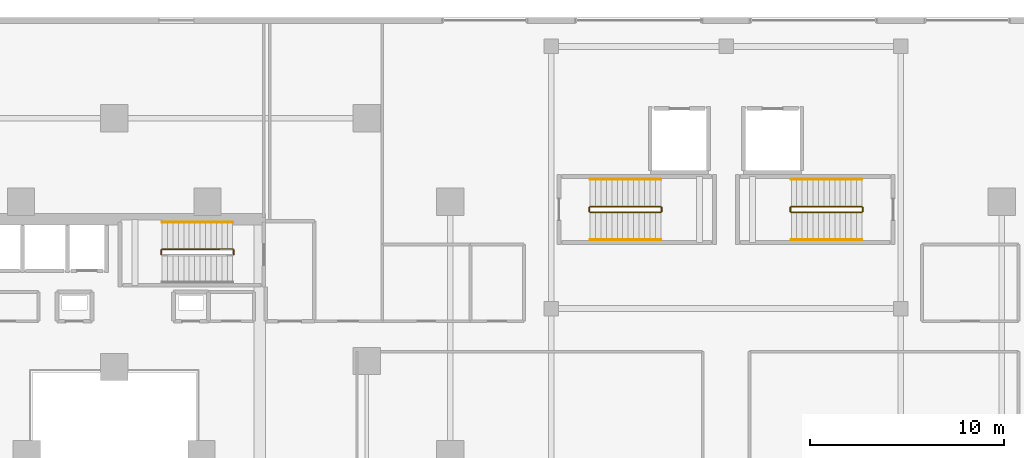
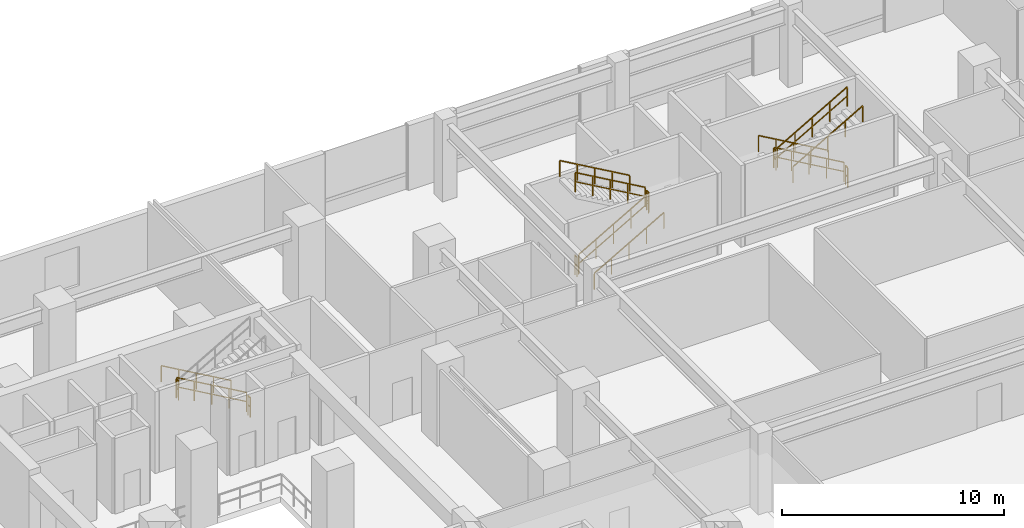
# One storey, part 24 of 25: 16 railings.
"""IFC4 building model written with IfcOpenShell, lengths in metres."""

from ifc_helpers import new_model, si_unit, direction, frame, origin, origin_2d, place, context, subcontext, project, spatial, rectangle, extrude, material, type_object, element, save


model = new_model("IFC4")

# Units and contexts
model_context = context("Model", 3, precision=1e-05, world=origin(), true_north=direction((0.0, 1.0)))
body_context = subcontext(model_context, "Body", "Model", "MODEL_VIEW")
ifc_project = project(units=[si_unit("LENGTHUNIT", "METRE"), si_unit("AREAUNIT", "SQUARE_METRE"), si_unit("VOLUMEUNIT", "CUBIC_METRE"), si_unit("PLANEANGLEUNIT", "RADIAN"), si_unit("MASSUNIT", "GRAM", prefix="KILO")], contexts=[model_context])

# Site, building, storey
site_placement = place(None, origin())
site = spatial("IfcSite", under=ifc_project, at=site_placement, CompositionType="ELEMENT")
building_placement = place(site_placement, origin())
building = spatial("IfcBuilding", under=site, at=building_placement, Name="Thornwick Lancets Civic Towers", CompositionType="ELEMENT")
storey_placement = place(building_placement, frame((0.0, 0.0, 9.60009765625)))
storey = spatial("IfcBuildingStorey", under=building, at=storey_placement, Name="L02", CompositionType="ELEMENT", Elevation=9.60009765625)

# Railings
ifc_material_1 = material(Name="Brushed stainless steel S355", Category="steel")
railing_type_1 = type_object("IfcRailingType", Name="RAIL_HANDRAIL", PredefinedType="HANDRAIL", material=ifc_material_1)
railing_1_placement = place(storey_placement, frame((31.60009765625, 38.949951171875, 0.16064453125)))
element("IfcRailing", 1, at=railing_1_placement, inside=storey, type_object=railing_type_1, Name="L02 ST-A2 stair handrail 1", PredefinedType="HANDRAIL", context=body_context, shape_type="SweptSolid", body=[
    extrude(rectangle(XDim=0.048095703125, YDim=0.048095703125, at=origin_2d()), frame((0.0, 0.0, 0.8857421875), z_axis=(-0.867289372828, 0.0, 0.497804322781), x_axis=(0.0, -1.0, 0.0)), (0.0, 0.0, 1.0), 4.197021484375),
    extrude(rectangle(XDim=0.0419921875, YDim=0.0419921875, at=origin_2d()), origin(), (0.0, 0.0, 1.0), 0.855712890625),
    extrude(rectangle(XDim=0.0419921875, YDim=0.0419921875, at=origin_2d()), frame((-0.91015625, 0.0, 0.5224609375)), (0.0, 0.0, 1.0), 0.855712890625),
    extrude(rectangle(XDim=0.0419921875, YDim=0.0419921875, at=origin_2d()), frame((-1.820068359375, 0.0, 1.044677734375)), (0.0, 0.0, 1.0), 0.855712890625),
    extrude(rectangle(XDim=0.0419921875, YDim=0.0419921875, at=origin_2d()), frame((-2.72998046875, 0.0, 1.56689453125)), (0.0, 0.0, 1.0), 0.855712890625),
    extrude(rectangle(XDim=0.0419921875, YDim=0.0419921875, at=origin_2d()), frame((-3.64013671875, 0.0, 2.08935546875)), (0.0, 0.0, 1.0), 0.855712890625),
])
railing_2_placement = place(storey_placement, frame((50.0, 38.050048828125, 0.16064453125)))
element("IfcRailing", 2, at=railing_2_placement, inside=storey, type_object=railing_type_1, Name="L02 ST-P5 stair handrail 1", PredefinedType="HANDRAIL", context=body_context, shape_type="SweptSolid", body=[
    extrude(rectangle(XDim=0.048095703125, YDim=0.048095703125, at=origin_2d()), frame((0.0, 0.0, 0.8857421875), z_axis=(0.8672749571, 0.0, 0.497829437445), x_axis=(0.0, 1.0, 0.0)), (0.0, 0.0, 1.0), 4.197021484375),
    extrude(rectangle(XDim=0.0419921875, YDim=0.0419921875, at=origin_2d()), origin(), (0.0, 0.0, 1.0), 0.855712890625),
    extrude(rectangle(XDim=0.0419921875, YDim=0.0419921875, at=origin_2d()), frame((0.909912109375, 0.0, 0.5224609375)), (0.0, 0.0, 1.0), 0.855712890625),
    extrude(rectangle(XDim=0.0419921875, YDim=0.0419921875, at=origin_2d()), frame((1.81982421875, 0.0, 1.044677734375)), (0.0, 0.0, 1.0), 0.855712890625),
    extrude(rectangle(XDim=0.0419921875, YDim=0.0419921875, at=origin_2d()), frame((2.72998046875, 0.0, 1.56689453125)), (0.0, 0.0, 1.0), 0.855712890625),
    extrude(rectangle(XDim=0.0419921875, YDim=0.0419921875, at=origin_2d()), frame((3.639892578125, 0.0, 2.08935546875)), (0.0, 0.0, 1.0), 0.855712890625),
])
for number, where, name in (
    (3, (53.639892578125, 41.14990234375, 2.41064453125), "L02 ST-P5 stair handrail 2"),
    (4, (64.0, 41.14990234375, 0.16064453125), "L02 ST-P6 stair handrail 1"),
):
    element("IfcRailing", number, at=place(storey_placement, frame(where)), inside=storey, type_object=railing_type_1, Name=name, PredefinedType="HANDRAIL", context=body_context, shape_type="SweptSolid", body=[
        extrude(rectangle(XDim=0.048095703125, YDim=0.048095703125, at=origin_2d()), frame((0.0, 0.0, 0.8857421875), z_axis=(-0.8672749571, 0.0, 0.497829437445), x_axis=(0.0, -1.0, 0.0)), (0.0, 0.0, 1.0), 4.197021484375),
        extrude(rectangle(XDim=0.0419921875, YDim=0.0419921875, at=origin_2d()), origin(), (0.0, 0.0, 1.0), 0.855712890625),
        extrude(rectangle(XDim=0.0419921875, YDim=0.0419921875, at=origin_2d()), frame((-0.909912109375, 0.0, 0.5224609375)), (0.0, 0.0, 1.0), 0.855712890625),
        extrude(rectangle(XDim=0.0419921875, YDim=0.0419921875, at=origin_2d()), frame((-1.81982421875, 0.0, 1.044677734375)), (0.0, 0.0, 1.0), 0.855712890625),
        extrude(rectangle(XDim=0.0419921875, YDim=0.0419921875, at=origin_2d()), frame((-2.72998046875, 0.0, 1.56689453125)), (0.0, 0.0, 1.0), 0.855712890625),
        extrude(rectangle(XDim=0.0419921875, YDim=0.0419921875, at=origin_2d()), frame((-3.639892578125, 0.0, 2.08935546875)), (0.0, 0.0, 1.0), 0.855712890625),
    ])
railing_3_placement = place(storey_placement, frame((60.360107421875, 38.050048828125, 2.41064453125)))
element("IfcRailing", 5, at=railing_3_placement, inside=storey, type_object=railing_type_1, Name="L02 ST-P6 stair handrail 2", PredefinedType="HANDRAIL", context=body_context, shape_type="SweptSolid", body=[
    extrude(rectangle(XDim=0.048095703125, YDim=0.048095703125, at=origin_2d()), frame((0.0, 0.0, 0.8857421875), z_axis=(0.8672749571, 0.0, 0.497829437445), x_axis=(0.0, 1.0, 0.0)), (0.0, 0.0, 1.0), 4.197021484375),
    extrude(rectangle(XDim=0.0419921875, YDim=0.0419921875, at=origin_2d()), origin(), (0.0, 0.0, 1.0), 0.855712890625),
    extrude(rectangle(XDim=0.0419921875, YDim=0.0419921875, at=origin_2d()), frame((0.909912109375, 0.0, 0.5224609375)), (0.0, 0.0, 1.0), 0.855712890625),
    extrude(rectangle(XDim=0.0419921875, YDim=0.0419921875, at=origin_2d()), frame((1.81982421875, 0.0, 1.044677734375)), (0.0, 0.0, 1.0), 0.855712890625),
    extrude(rectangle(XDim=0.0419921875, YDim=0.0419921875, at=origin_2d()), frame((2.72998046875, 0.0, 1.56689453125)), (0.0, 0.0, 1.0), 0.855712890625),
    extrude(rectangle(XDim=0.0419921875, YDim=0.0419921875, at=origin_2d()), frame((3.639892578125, 0.0, 2.08935546875)), (0.0, 0.0, 1.0), 0.855712890625),
])
ifc_material_2 = material(Name="Steel S355JR", Category="steel")
railing_type_2 = type_object("IfcRailingType", Name="RAIL_STAIR_GUARD", PredefinedType="GUARDRAIL", material=ifc_material_2)
railing_4_placement = place(storey_placement, frame((31.60009765625, 37.550048828125, 0.16064453125)))
element("IfcRailing", 6, at=railing_4_placement, inside=storey, type_object=railing_type_2, Name="L02 ST-A2 stair guard 1", PredefinedType="GUARDRAIL", context=body_context, shape_type="SweptSolid", body=[
    extrude(rectangle(XDim=0.048095703125, YDim=0.048095703125, at=origin_2d()), frame((0.0, 0.0, 1.076171875), z_axis=(-0.867289372828, 0.0, 0.497804322781), x_axis=(0.0, -1.0, 0.0)), (0.0, 0.0, 1.0), 4.197021484375),
    extrude(rectangle(XDim=0.0419921875, YDim=0.0419921875, at=origin_2d()), frame((-0.032470703125, 0.0, 0.5908203125), z_axis=(-0.867289372828, 0.0, 0.497804322781), x_axis=(0.0, -1.0, 0.0)), (0.0, 0.0, 1.0), 0.974365234375),
    extrude(rectangle(XDim=0.0419921875, YDim=0.0419921875, at=origin_2d()), frame((-0.942626953125, 0.0, 1.113037109375), z_axis=(-0.867289372828, 0.0, 0.497804322781), x_axis=(0.0, -1.0, 0.0)), (0.0, 0.0, 1.0), 0.974365234375),
    extrude(rectangle(XDim=0.0419921875, YDim=0.0419921875, at=origin_2d()), frame((-1.8525390625, 0.0, 1.635498046875), z_axis=(-0.867289372828, 0.0, 0.497804322781), x_axis=(0.0, -1.0, 0.0)), (0.0, 0.0, 1.0), 0.974365234375),
    extrude(rectangle(XDim=0.0419921875, YDim=0.0419921875, at=origin_2d()), frame((-2.7626953125, 0.0, 2.15771484375), z_axis=(-0.867289372828, 0.0, 0.497804322781), x_axis=(0.0, -1.0, 0.0)), (0.0, 0.0, 1.0), 0.974365234375),
    extrude(rectangle(XDim=0.0419921875, YDim=0.0419921875, at=origin_2d()), origin(), (0.0, 0.0, 1.0), 1.0458984375),
    extrude(rectangle(XDim=0.0419921875, YDim=0.0419921875, at=origin_2d()), frame((-0.91015625, 0.0, 0.5224609375)), (0.0, 0.0, 1.0), 1.0458984375),
    extrude(rectangle(XDim=0.0419921875, YDim=0.0419921875, at=origin_2d()), frame((-1.820068359375, 0.0, 1.044677734375)), (0.0, 0.0, 1.0), 1.0458984375),
    extrude(rectangle(XDim=0.0419921875, YDim=0.0419921875, at=origin_2d()), frame((-2.72998046875, 0.0, 1.56689453125)), (0.0, 0.0, 1.0), 1.0458984375),
    extrude(rectangle(XDim=0.0419921875, YDim=0.0419921875, at=origin_2d()), frame((-3.64013671875, 0.0, 2.08935546875)), (0.0, 0.0, 1.0), 1.0458984375),
])
for number, where, name in (
    (7, (27.909912109375, 37.5, 2.25), "L02 ST-A2 stair guard 2"),
    (8, (31.64990234375, 37.5, 0.0), "L02 ST-A2 stair guard 4"),
):
    element("IfcRailing", number, at=place(storey_placement, frame(where)), inside=storey, type_object=railing_type_2, Name=name, PredefinedType="GUARDRAIL", context=body_context, shape_type="SweptSolid", body=[
        extrude(rectangle(XDim=0.048095703125, YDim=0.048095703125, at=origin_2d()), frame((0.0, 0.0, 1.076171875), z_axis=(0.0, -1.0, 0.0), x_axis=(1.0, 0.0, 0.0)), (0.0, 0.0, 1.0), 0.199951171875),
        extrude(rectangle(XDim=0.0419921875, YDim=0.0419921875, at=origin_2d()), frame((0.0, -0.03759765625, 0.572021484375), z_axis=(0.0, -1.0, 0.0), x_axis=(1.0, 0.0, 0.0)), (0.0, 0.0, 1.0), 0.125),
        extrude(rectangle(XDim=0.0419921875, YDim=0.0419921875, at=origin_2d()), origin(), (0.0, 0.0, 1.0), 1.0458984375),
        extrude(rectangle(XDim=0.0419921875, YDim=0.0419921875, at=origin_2d()), frame((0.0, -0.199951171875, 0.0)), (0.0, 0.0, 1.0), 1.0458984375),
    ])
railing_5_placement = place(storey_placement, frame((50.0, 39.449951171875, 0.16064453125)))
element("IfcRailing", 9, at=railing_5_placement, inside=storey, type_object=railing_type_2, Name="L02 ST-P5 stair guard 1", PredefinedType="GUARDRAIL", context=body_context, shape_type="SweptSolid", body=[
    extrude(rectangle(XDim=0.048095703125, YDim=0.048095703125, at=origin_2d()), frame((0.0, 0.0, 1.076171875), z_axis=(0.8672749571, 0.0, 0.497829437445), x_axis=(0.0, 1.0, 0.0)), (0.0, 0.0, 1.0), 4.197021484375),
    extrude(rectangle(XDim=0.0419921875, YDim=0.0419921875, at=origin_2d()), frame((0.032470703125, 0.0, 0.5908203125), z_axis=(0.8672749571, 0.0, 0.497829437445), x_axis=(0.0, 1.0, 0.0)), (0.0, 0.0, 1.0), 0.974365234375),
    extrude(rectangle(XDim=0.0419921875, YDim=0.0419921875, at=origin_2d()), frame((0.9423828125, 0.0, 1.113037109375), z_axis=(0.8672749571, 0.0, 0.497829437445), x_axis=(0.0, 1.0, 0.0)), (0.0, 0.0, 1.0), 0.974365234375),
    extrude(rectangle(XDim=0.0419921875, YDim=0.0419921875, at=origin_2d()), frame((1.8525390625, 0.0, 1.635498046875), z_axis=(0.8672749571, 0.0, 0.497829437445), x_axis=(0.0, 1.0, 0.0)), (0.0, 0.0, 1.0), 0.974365234375),
    extrude(rectangle(XDim=0.0419921875, YDim=0.0419921875, at=origin_2d()), frame((2.762451171875, 0.0, 2.15771484375), z_axis=(0.8672749571, 0.0, 0.497829437445), x_axis=(0.0, 1.0, 0.0)), (0.0, 0.0, 1.0), 0.974365234375),
    extrude(rectangle(XDim=0.0419921875, YDim=0.0419921875, at=origin_2d()), origin(), (0.0, 0.0, 1.0), 1.0458984375),
    extrude(rectangle(XDim=0.0419921875, YDim=0.0419921875, at=origin_2d()), frame((0.909912109375, 0.0, 0.5224609375)), (0.0, 0.0, 1.0), 1.0458984375),
    extrude(rectangle(XDim=0.0419921875, YDim=0.0419921875, at=origin_2d()), frame((1.81982421875, 0.0, 1.044677734375)), (0.0, 0.0, 1.0), 1.0458984375),
    extrude(rectangle(XDim=0.0419921875, YDim=0.0419921875, at=origin_2d()), frame((2.72998046875, 0.0, 1.56689453125)), (0.0, 0.0, 1.0), 1.0458984375),
    extrude(rectangle(XDim=0.0419921875, YDim=0.0419921875, at=origin_2d()), frame((3.639892578125, 0.0, 2.08935546875)), (0.0, 0.0, 1.0), 1.0458984375),
])
railing_6_placement = place(storey_placement, frame((53.68994140625, 39.5, 2.25)))
element("IfcRailing", 10, at=railing_6_placement, inside=storey, type_object=railing_type_2, Name="L02 ST-P5 stair guard 2", PredefinedType="GUARDRAIL", context=body_context, shape_type="SweptSolid", body=[
    extrude(rectangle(XDim=0.048095703125, YDim=0.048095703125, at=origin_2d()), frame((0.0, 0.0, 1.076171875), z_axis=(0.0, 1.0, 0.0), x_axis=(-1.0, 0.0, 0.0)), (0.0, 0.0, 1.0), 0.199951171875),
    extrude(rectangle(XDim=0.0419921875, YDim=0.0419921875, at=origin_2d()), frame((0.0, 0.03759765625, 0.572021484375), z_axis=(0.0, 1.0, 0.0), x_axis=(-1.0, 0.0, 0.0)), (0.0, 0.0, 1.0), 0.125),
    extrude(rectangle(XDim=0.0419921875, YDim=0.0419921875, at=origin_2d()), origin(), (0.0, 0.0, 1.0), 1.0458984375),
    extrude(rectangle(XDim=0.0419921875, YDim=0.0419921875, at=origin_2d()), frame((0.0, 0.199951171875, 0.0)), (0.0, 0.0, 1.0), 1.0458984375),
])
railing_7_placement = place(storey_placement, frame((53.639892578125, 39.75, 2.41064453125)))
element("IfcRailing", 11, at=railing_7_placement, inside=storey, type_object=railing_type_2, Name="L02 ST-P5 stair guard 3", PredefinedType="GUARDRAIL", context=body_context, shape_type="SweptSolid", body=[
    extrude(rectangle(XDim=0.048095703125, YDim=0.048095703125, at=origin_2d()), frame((0.0, 0.0, 1.076171875), z_axis=(-0.8672749571, 0.0, 0.497829437445), x_axis=(0.0, -1.0, 0.0)), (0.0, 0.0, 1.0), 4.197021484375),
    extrude(rectangle(XDim=0.0419921875, YDim=0.0419921875, at=origin_2d()), frame((-0.032470703125, 0.0, 0.5908203125), z_axis=(-0.8672749571, 0.0, 0.497829437445), x_axis=(0.0, -1.0, 0.0)), (0.0, 0.0, 1.0), 0.974365234375),
    extrude(rectangle(XDim=0.0419921875, YDim=0.0419921875, at=origin_2d()), frame((-0.9423828125, 0.0, 1.113037109375), z_axis=(-0.8672749571, 0.0, 0.497829437445), x_axis=(0.0, -1.0, 0.0)), (0.0, 0.0, 1.0), 0.974365234375),
    extrude(rectangle(XDim=0.0419921875, YDim=0.0419921875, at=origin_2d()), frame((-1.8525390625, 0.0, 1.635498046875), z_axis=(-0.8672749571, 0.0, 0.497829437445), x_axis=(0.0, -1.0, 0.0)), (0.0, 0.0, 1.0), 0.974365234375),
    extrude(rectangle(XDim=0.0419921875, YDim=0.0419921875, at=origin_2d()), frame((-2.762451171875, 0.0, 2.15771484375), z_axis=(-0.8672749571, 0.0, 0.497829437445), x_axis=(0.0, -1.0, 0.0)), (0.0, 0.0, 1.0), 0.974365234375),
    extrude(rectangle(XDim=0.0419921875, YDim=0.0419921875, at=origin_2d()), origin(), (0.0, 0.0, 1.0), 1.0458984375),
    extrude(rectangle(XDim=0.0419921875, YDim=0.0419921875, at=origin_2d()), frame((-0.909912109375, 0.0, 0.5224609375)), (0.0, 0.0, 1.0), 1.0458984375),
    extrude(rectangle(XDim=0.0419921875, YDim=0.0419921875, at=origin_2d()), frame((-1.81982421875, 0.0, 1.044677734375)), (0.0, 0.0, 1.0), 1.0458984375),
    extrude(rectangle(XDim=0.0419921875, YDim=0.0419921875, at=origin_2d()), frame((-2.72998046875, 0.0, 1.56689453125)), (0.0, 0.0, 1.0), 1.0458984375),
    extrude(rectangle(XDim=0.0419921875, YDim=0.0419921875, at=origin_2d()), frame((-3.639892578125, 0.0, 2.08935546875)), (0.0, 0.0, 1.0), 1.0458984375),
])
railing_8_placement = place(storey_placement, frame((49.949951171875, 39.5, 0.0)))
element("IfcRailing", 12, at=railing_8_placement, inside=storey, type_object=railing_type_2, Name="L02 ST-P5 stair guard 4", PredefinedType="GUARDRAIL", context=body_context, shape_type="SweptSolid", body=[
    extrude(rectangle(XDim=0.048095703125, YDim=0.048095703125, at=origin_2d()), frame((0.0, 0.0, 1.076171875), z_axis=(0.0, 1.0, 0.0), x_axis=(-1.0, 0.0, 0.0)), (0.0, 0.0, 1.0), 0.199951171875),
    extrude(rectangle(XDim=0.0419921875, YDim=0.0419921875, at=origin_2d()), frame((0.0, 0.03759765625, 0.572021484375), z_axis=(0.0, 1.0, 0.0), x_axis=(-1.0, 0.0, 0.0)), (0.0, 0.0, 1.0), 0.125),
    extrude(rectangle(XDim=0.0419921875, YDim=0.0419921875, at=origin_2d()), origin(), (0.0, 0.0, 1.0), 1.0458984375),
    extrude(rectangle(XDim=0.0419921875, YDim=0.0419921875, at=origin_2d()), frame((0.0, 0.199951171875, 0.0)), (0.0, 0.0, 1.0), 1.0458984375),
])
railing_9_placement = place(storey_placement, frame((64.0, 39.75, 0.16064453125)))
element("IfcRailing", 13, at=railing_9_placement, inside=storey, type_object=railing_type_2, Name="L02 ST-P6 stair guard 1", PredefinedType="GUARDRAIL", context=body_context, shape_type="SweptSolid", body=[
    extrude(rectangle(XDim=0.048095703125, YDim=0.048095703125, at=origin_2d()), frame((0.0, 0.0, 1.076171875), z_axis=(-0.8672749571, 0.0, 0.497829437445), x_axis=(0.0, -1.0, 0.0)), (0.0, 0.0, 1.0), 4.197021484375),
    extrude(rectangle(XDim=0.0419921875, YDim=0.0419921875, at=origin_2d()), frame((-0.032470703125, 0.0, 0.5908203125), z_axis=(-0.8672749571, 0.0, 0.497829437445), x_axis=(0.0, -1.0, 0.0)), (0.0, 0.0, 1.0), 0.974365234375),
    extrude(rectangle(XDim=0.0419921875, YDim=0.0419921875, at=origin_2d()), frame((-0.9423828125, 0.0, 1.113037109375), z_axis=(-0.8672749571, 0.0, 0.497829437445), x_axis=(0.0, -1.0, 0.0)), (0.0, 0.0, 1.0), 0.974365234375),
    extrude(rectangle(XDim=0.0419921875, YDim=0.0419921875, at=origin_2d()), frame((-1.8525390625, 0.0, 1.635498046875), z_axis=(-0.8672749571, 0.0, 0.497829437445), x_axis=(0.0, -1.0, 0.0)), (0.0, 0.0, 1.0), 0.974365234375),
    extrude(rectangle(XDim=0.0419921875, YDim=0.0419921875, at=origin_2d()), frame((-2.762451171875, 0.0, 2.15771484375), z_axis=(-0.8672749571, 0.0, 0.497829437445), x_axis=(0.0, -1.0, 0.0)), (0.0, 0.0, 1.0), 0.974365234375),
    extrude(rectangle(XDim=0.0419921875, YDim=0.0419921875, at=origin_2d()), origin(), (0.0, 0.0, 1.0), 1.0458984375),
    extrude(rectangle(XDim=0.0419921875, YDim=0.0419921875, at=origin_2d()), frame((-0.909912109375, 0.0, 0.5224609375)), (0.0, 0.0, 1.0), 1.0458984375),
    extrude(rectangle(XDim=0.0419921875, YDim=0.0419921875, at=origin_2d()), frame((-1.81982421875, 0.0, 1.044677734375)), (0.0, 0.0, 1.0), 1.0458984375),
    extrude(rectangle(XDim=0.0419921875, YDim=0.0419921875, at=origin_2d()), frame((-2.72998046875, 0.0, 1.56689453125)), (0.0, 0.0, 1.0), 1.0458984375),
    extrude(rectangle(XDim=0.0419921875, YDim=0.0419921875, at=origin_2d()), frame((-3.639892578125, 0.0, 2.08935546875)), (0.0, 0.0, 1.0), 1.0458984375),
])
railing_10_placement = place(storey_placement, frame((60.31005859375, 39.699951171875, 2.25)))
element("IfcRailing", 14, at=railing_10_placement, inside=storey, type_object=railing_type_2, Name="L02 ST-P6 stair guard 2", PredefinedType="GUARDRAIL", context=body_context, shape_type="SweptSolid", body=[
    extrude(rectangle(XDim=0.048095703125, YDim=0.048095703125, at=origin_2d()), frame((0.0, 0.0, 1.076171875), z_axis=(0.0, -1.0, 0.0), x_axis=(1.0, 0.0, 0.0)), (0.0, 0.0, 1.0), 0.199951171875),
    extrude(rectangle(XDim=0.0419921875, YDim=0.0419921875, at=origin_2d()), frame((0.0, -0.03759765625, 0.572021484375), z_axis=(0.0, -1.0, 0.0), x_axis=(1.0, 0.0, 0.0)), (0.0, 0.0, 1.0), 0.125),
    extrude(rectangle(XDim=0.0419921875, YDim=0.0419921875, at=origin_2d()), origin(), (0.0, 0.0, 1.0), 1.0458984375),
    extrude(rectangle(XDim=0.0419921875, YDim=0.0419921875, at=origin_2d()), frame((0.0, -0.199951171875, 0.0)), (0.0, 0.0, 1.0), 1.0458984375),
])
railing_11_placement = place(storey_placement, frame((60.360107421875, 39.449951171875, 2.41064453125)))
element("IfcRailing", 15, at=railing_11_placement, inside=storey, type_object=railing_type_2, Name="L02 ST-P6 stair guard 3", PredefinedType="GUARDRAIL", context=body_context, shape_type="SweptSolid", body=[
    extrude(rectangle(XDim=0.048095703125, YDim=0.048095703125, at=origin_2d()), frame((0.0, 0.0, 1.076171875), z_axis=(0.8672749571, 0.0, 0.497829437445), x_axis=(0.0, 1.0, 0.0)), (0.0, 0.0, 1.0), 4.197021484375),
    extrude(rectangle(XDim=0.0419921875, YDim=0.0419921875, at=origin_2d()), frame((0.032470703125, 0.0, 0.5908203125), z_axis=(0.8672749571, 0.0, 0.497829437445), x_axis=(0.0, 1.0, 0.0)), (0.0, 0.0, 1.0), 0.974365234375),
    extrude(rectangle(XDim=0.0419921875, YDim=0.0419921875, at=origin_2d()), frame((0.9423828125, 0.0, 1.113037109375), z_axis=(0.8672749571, 0.0, 0.497829437445), x_axis=(0.0, 1.0, 0.0)), (0.0, 0.0, 1.0), 0.974365234375),
    extrude(rectangle(XDim=0.0419921875, YDim=0.0419921875, at=origin_2d()), frame((1.8525390625, 0.0, 1.635498046875), z_axis=(0.8672749571, 0.0, 0.497829437445), x_axis=(0.0, 1.0, 0.0)), (0.0, 0.0, 1.0), 0.974365234375),
    extrude(rectangle(XDim=0.0419921875, YDim=0.0419921875, at=origin_2d()), frame((2.762451171875, 0.0, 2.15771484375), z_axis=(0.8672749571, 0.0, 0.497829437445), x_axis=(0.0, 1.0, 0.0)), (0.0, 0.0, 1.0), 0.974365234375),
    extrude(rectangle(XDim=0.0419921875, YDim=0.0419921875, at=origin_2d()), origin(), (0.0, 0.0, 1.0), 1.0458984375),
    extrude(rectangle(XDim=0.0419921875, YDim=0.0419921875, at=origin_2d()), frame((0.909912109375, 0.0, 0.5224609375)), (0.0, 0.0, 1.0), 1.0458984375),
    extrude(rectangle(XDim=0.0419921875, YDim=0.0419921875, at=origin_2d()), frame((1.81982421875, 0.0, 1.044677734375)), (0.0, 0.0, 1.0), 1.0458984375),
    extrude(rectangle(XDim=0.0419921875, YDim=0.0419921875, at=origin_2d()), frame((2.72998046875, 0.0, 1.56689453125)), (0.0, 0.0, 1.0), 1.0458984375),
    extrude(rectangle(XDim=0.0419921875, YDim=0.0419921875, at=origin_2d()), frame((3.639892578125, 0.0, 2.08935546875)), (0.0, 0.0, 1.0), 1.0458984375),
])
railing_12_placement = place(storey_placement, frame((64.050048828125, 39.699951171875, 0.0)))
element("IfcRailing", 16, at=railing_12_placement, inside=storey, type_object=railing_type_2, Name="L02 ST-P6 stair guard 4", PredefinedType="GUARDRAIL", context=body_context, shape_type="SweptSolid", body=[
    extrude(rectangle(XDim=0.048095703125, YDim=0.048095703125, at=origin_2d()), frame((0.0, 0.0, 1.076171875), z_axis=(0.0, -1.0, 0.0), x_axis=(1.0, 0.0, 0.0)), (0.0, 0.0, 1.0), 0.199951171875),
    extrude(rectangle(XDim=0.0419921875, YDim=0.0419921875, at=origin_2d()), frame((0.0, -0.03759765625, 0.572021484375), z_axis=(0.0, -1.0, 0.0), x_axis=(1.0, 0.0, 0.0)), (0.0, 0.0, 1.0), 0.125),
    extrude(rectangle(XDim=0.0419921875, YDim=0.0419921875, at=origin_2d()), origin(), (0.0, 0.0, 1.0), 1.0458984375),
    extrude(rectangle(XDim=0.0419921875, YDim=0.0419921875, at=origin_2d()), frame((0.0, -0.199951171875, 0.0)), (0.0, 0.0, 1.0), 1.0458984375),
])

save(model, "model.ifc")
